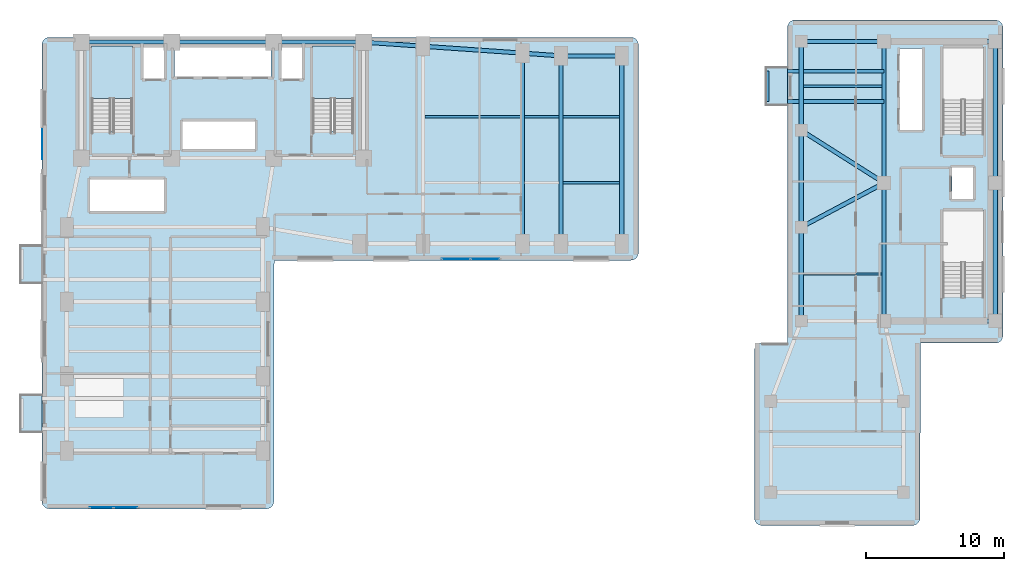
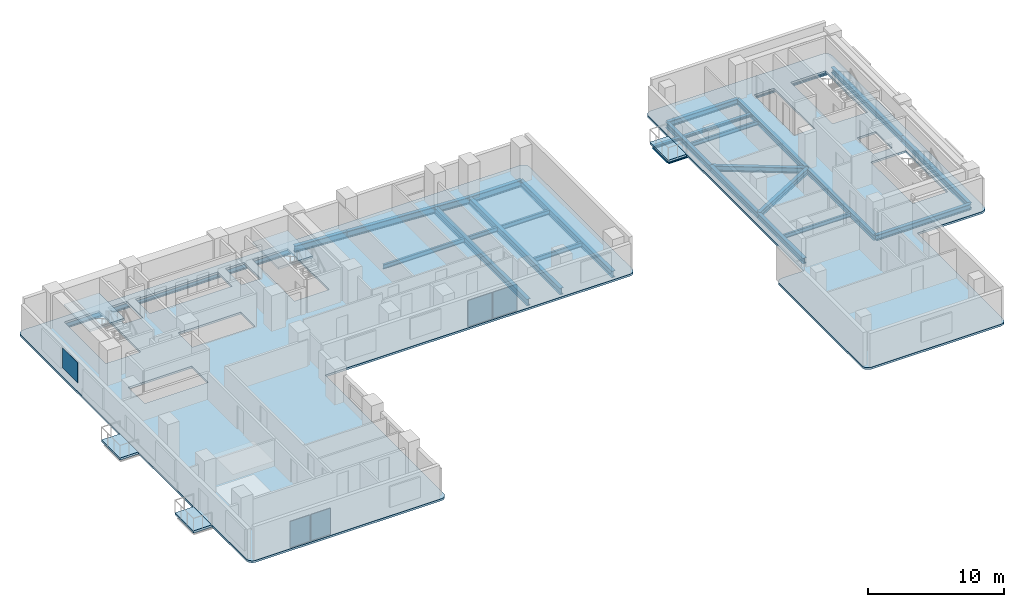
# One storey, part 7 of 16: 31 beams, 7 slabs, 5 plates, 4 elements without a shape of their own.
"""IFC4 building model written with IfcOpenShell, lengths in metres."""

from ifc_helpers import new_model, si_unit, direction, frame, origin, origin_2d, place, context, subcontext, project, spatial, polyline, rectangle, i_section, outline, extrude, material, layer, layer_set, material_profile, profile_set, type_object, element, aggregate, save


model = new_model("IFC4")

# Units and contexts
model_context = context("Model", 3, precision=1e-05, world=origin(), true_north=direction((0.0, 1.0)))
body_context = subcontext(model_context, "Body", "Model", "MODEL_VIEW")
ifc_project = project(units=[si_unit("LENGTHUNIT", "METRE"), si_unit("AREAUNIT", "SQUARE_METRE"), si_unit("VOLUMEUNIT", "CUBIC_METRE"), si_unit("PLANEANGLEUNIT", "RADIAN"), si_unit("MASSUNIT", "GRAM", prefix="KILO")], contexts=[model_context])

# Site, building, storey
site_placement = place(None, origin())
site = spatial("IfcSite", under=ifc_project, at=site_placement, CompositionType="ELEMENT")
building_placement = place(site_placement, origin())
building = spatial("IfcBuilding", under=site, at=building_placement, Name="Kuzgunbayir Cultural Tower", CompositionType="ELEMENT")
storey_placement = place(building_placement, frame((0.0, 0.0, 66.0)))
storey = spatial("IfcBuildingStorey", under=building, at=storey_placement, Name="L18", CompositionType="ELEMENT", Elevation=66.0)

# Beams
ifc_material_1 = material(Name="Steel S355J2", Category="steel")
ifc_material_profile_1 = material_profile(ifc_material_1, i_section(OverallWidth=0.260009765625, OverallDepth=0.260009765625, WebThickness=0.010009765625, FlangeThickness=0.017578125, FilletRadius=0.02392578125, at=origin_2d()), Name="HEB 260")
ifc_profile_set_1 = profile_set([ifc_material_profile_1], Name="Steel S355J2")
beam_type_1 = type_object("IfcBeamType", Name="BM-BAL-HEB260", PredefinedType="BEAM", material=ifc_profile_set_1)
for number, where, z_axis, x_axis, name in (
    (1, (56.159912109375, 37.89990234375, -0.330078125), (1.0, 0.0, 0.0), (0.0, 1.0, 0.0), "L18 Companion Balcony Outrigger BAL-L18-T2W3.1"),
    (2, (56.159912109375, 40.10009765625, -0.330078125), (1.0, 0.0, 0.0), (0.0, 1.0, 0.0), "L18 Companion Balcony Outrigger BAL-L18-T2W3.2"),
):
    element("IfcBeam", number, at=place(storey_placement, frame(where, z_axis=z_axis, x_axis=x_axis)), inside=storey, type_object=beam_type_1, Name=name, PredefinedType="BEAM", context=body_context, shape_type="SweptSolid", body=[
        extrude(i_section(OverallWidth=0.260009765625, OverallDepth=0.260009765625, WebThickness=0.010009765625, FlangeThickness=0.017578125, FilletRadius=0.02392578125, at=origin_2d()), origin(), (0.0, 0.0, 1.0), 8.440185546875),
    ])
ifc_material_profile_2 = material_profile(ifc_material_1, i_section(OverallWidth=0.199951171875, OverallDepth=0.199951171875, WebThickness=0.009033203125, FlangeThickness=0.014892578125, FilletRadius=0.01806640625, at=origin_2d()), Name="HEB 200")
ifc_profile_set_2 = profile_set([ifc_material_profile_2], Name="Steel S355J2")
beam_type_2 = type_object("IfcBeamType", Name="BM-CAN-HEB200", PredefinedType="BEAM", material=ifc_profile_set_2)
beam_1_placement = place(storey_placement, frame((56.159912109375, 37.89990234375, -0.300048828125), z_axis=(0.0, 1.0, 0.0), x_axis=(-1.0, 0.0, 0.0)))
element("IfcBeam", 3, at=beam_1_placement, inside=storey, type_object=beam_type_2, Name="L18 Companion Balcony Header BAL-L18-T2W3", PredefinedType="BEAM", context=body_context, shape_type="SweptSolid", body=[
    extrude(i_section(OverallWidth=0.199951171875, OverallDepth=0.199951171875, WebThickness=0.009033203125, FlangeThickness=0.014892578125, FilletRadius=0.01806640625, at=origin_2d()), origin(), (0.0, 0.0, 1.0), 2.2001953125),
])
ifc_material_profile_3 = material_profile(ifc_material_1, i_section(OverallWidth=0.300048828125, OverallDepth=0.5, WebThickness=0.014404296875, FlangeThickness=0.028076171875, FilletRadius=0.027099609375, at=origin_2d()), Name="HEB 500")
ifc_profile_set_3 = profile_set([ifc_material_profile_3], Name="Steel S355J2")
beam_type_3 = type_object("IfcBeamType", Name="BM-EXT-HEB500", PredefinedType="BEAM", material=ifc_profile_set_3)
beam_2_placement = place(storey_placement, frame((58.60009765625, 22.0, -0.429931640625), z_axis=(0.0, 1.0, 0.0), x_axis=(-1.0, 0.0, 0.0)))
element("IfcBeam", 4, at=beam_2_placement, inside=storey, type_object=beam_type_3, Name="L18 Companion West Girder", PredefinedType="BEAM", context=body_context, shape_type="SweptSolid", body=[
    extrude(i_section(OverallWidth=0.300048828125, OverallDepth=0.5, WebThickness=0.014404296875, FlangeThickness=0.028076171875, FilletRadius=0.027099609375, at=origin_2d()), origin(), (0.0, 0.0, 1.0), 6.800048828125),
])
beam_3_placement = place(storey_placement, frame((58.60009765625, 28.800048828125, -0.429931640625), z_axis=(0.0, 1.0, 0.0), x_axis=(-1.0, 0.0, 0.0)))
element("IfcBeam", 5, at=beam_3_placement, inside=storey, type_object=beam_type_3, Name="L18 Companion West Girder", PredefinedType="BEAM", context=body_context, shape_type="SweptSolid", body=[
    extrude(i_section(OverallWidth=0.300048828125, OverallDepth=0.5, WebThickness=0.014404296875, FlangeThickness=0.028076171875, FilletRadius=0.027099609375, at=origin_2d()), origin(), (0.0, 0.0, 1.0), 7.0),
])
beam_4_placement = place(storey_placement, frame((58.60009765625, 35.800048828125, -0.429931640625), z_axis=(0.0, 1.0, 0.0), x_axis=(-1.0, 0.0, 0.0)))
element("IfcBeam", 6, at=beam_4_placement, inside=storey, type_object=beam_type_3, Name="L18 Companion West Girder", PredefinedType="BEAM", context=body_context, shape_type="SweptSolid", body=[
    extrude(i_section(OverallWidth=0.300048828125, OverallDepth=0.5, WebThickness=0.014404296875, FlangeThickness=0.028076171875, FilletRadius=0.027099609375, at=origin_2d()), origin(), (0.0, 0.0, 1.0), 6.449951171875),
])
ifc_material_profile_4 = material_profile(ifc_material_1, i_section(OverallWidth=0.300048828125, OverallDepth=0.60009765625, WebThickness=0.015380859375, FlangeThickness=0.030029296875, FilletRadius=0.027099609375, at=origin_2d()), Name="HEB 600")
ifc_profile_set_4 = profile_set([ifc_material_profile_4], Name="Steel S355J2")
beam_type_4 = type_object("IfcBeamType", Name="BM-EXT-HEB600", PredefinedType="BEAM", material=ifc_profile_set_4)
beam_5_placement = place(storey_placement, frame((26.89990234375, 42.199951171875, -0.47998046875), z_axis=(0.997574369175, -0.069608749203, 0.0), x_axis=(0.069608749203, 0.997574369175, 0.0)))
element("IfcBeam", 7, at=beam_5_placement, inside=storey, type_object=beam_type_4, Name="L18 Wing B North Girder 1", PredefinedType="BEAM", context=body_context, shape_type="SweptSolid", body=[
    extrude(i_section(OverallWidth=0.300048828125, OverallDepth=0.60009765625, WebThickness=0.015380859375, FlangeThickness=0.030029296875, FilletRadius=0.027099609375, at=origin_2d()), origin(), (0.0, 0.0, 1.0), 4.310546875),
])
beam_6_placement = place(storey_placement, frame((31.199951171875, 41.89990234375, -0.47998046875), z_axis=(0.997597388498, -0.069278066245, 0.0), x_axis=(0.069278066245, 0.997597388498, 0.0)))
element("IfcBeam", 8, at=beam_6_placement, inside=storey, type_object=beam_type_4, Name="L18 Wing B North Girder 2", PredefinedType="BEAM", context=body_context, shape_type="SweptSolid", body=[
    extrude(i_section(OverallWidth=0.300048828125, OverallDepth=0.60009765625, WebThickness=0.015380859375, FlangeThickness=0.030029296875, FilletRadius=0.027099609375, at=origin_2d()), origin(), (0.0, 0.0, 1.0), 7.21728515625),
])
beam_7_placement = place(storey_placement, frame((38.39990234375, 41.39990234375, -0.47998046875), z_axis=(0.997460024076, -0.071228508128, 0.0), x_axis=(0.071228508128, 0.997460024076, 0.0)))
element("IfcBeam", 9, at=beam_7_placement, inside=storey, type_object=beam_type_4, Name="L18 Wing B North Girder 3", PredefinedType="BEAM", context=body_context, shape_type="SweptSolid", body=[
    extrude(i_section(OverallWidth=0.300048828125, OverallDepth=0.60009765625, WebThickness=0.015380859375, FlangeThickness=0.030029296875, FilletRadius=0.027099609375, at=origin_2d()), origin(), (0.0, 0.0, 1.0), 2.80712890625),
])
beam_8_placement = place(storey_placement, frame((41.199951171875, 41.199951171875, -0.47998046875), z_axis=(1.0, 0.0, 0.0), x_axis=(0.0, 1.0, 0.0)))
element("IfcBeam", 10, at=beam_8_placement, inside=storey, type_object=beam_type_4, Name="L18 Wing B North Girder 4", PredefinedType="BEAM", context=body_context, shape_type="SweptSolid", body=[
    extrude(i_section(OverallWidth=0.300048828125, OverallDepth=0.60009765625, WebThickness=0.015380859375, FlangeThickness=0.030029296875, FilletRadius=0.027099609375, at=origin_2d()), origin(), (0.0, 0.0, 1.0), 4.400146484375),
])
ifc_material_profile_5 = material_profile(ifc_material_1, i_section(OverallWidth=0.300048828125, OverallDepth=0.5, WebThickness=0.014404296875, FlangeThickness=0.028076171875, FilletRadius=0.027099609375, at=origin_2d()), Name="HEB 500")
ifc_profile_set_5 = profile_set([ifc_material_profile_5], Name="Steel S355J2")
beam_type_5 = type_object("IfcBeamType", Name="BM-GIR-HEB500", PredefinedType="BEAM", material=ifc_profile_set_5)
beam_9_placement = place(storey_placement, frame((58.60009765625, 28.800048828125, -0.429931640625), z_axis=(0.882355922736, 0.470582644828, 0.0), x_axis=(-0.470582644828, 0.882355922736, 0.0)))
element("IfcBeam", 11, at=beam_9_placement, inside=storey, type_object=beam_type_5, Name="L18 Companion Transverse Girder 2", PredefinedType="BEAM", context=body_context, shape_type="SweptSolid", body=[
    extrude(i_section(OverallWidth=0.300048828125, OverallDepth=0.5, WebThickness=0.014404296875, FlangeThickness=0.028076171875, FilletRadius=0.027099609375, at=origin_2d()), origin(), (0.0, 0.0, 1.0), 6.800048828125),
])
beam_10_placement = place(storey_placement, frame((58.60009765625, 35.800048828125, -0.429931640625), z_axis=(0.844815967829, -0.535056988088, 0.0), x_axis=(0.535056988088, 0.844815967829, 0.0)))
element("IfcBeam", 12, at=beam_10_placement, inside=storey, type_object=beam_type_5, Name="L18 Companion Transverse Girder 3", PredefinedType="BEAM", context=body_context, shape_type="SweptSolid", body=[
    extrude(i_section(OverallWidth=0.300048828125, OverallDepth=0.5, WebThickness=0.014404296875, FlangeThickness=0.028076171875, FilletRadius=0.027099609375, at=origin_2d()), origin(), (0.0, 0.0, 1.0), 7.10205078125),
])
beam_11_placement = place(storey_placement, frame((58.60009765625, 42.25, -0.429931640625), z_axis=(1.0, 0.0, 0.0), x_axis=(0.0, 1.0, 0.0)))
element("IfcBeam", 13, at=beam_11_placement, inside=storey, type_object=beam_type_5, Name="L18 Companion Transverse Girder 4", PredefinedType="BEAM", context=body_context, shape_type="SweptSolid", body=[
    extrude(i_section(OverallWidth=0.300048828125, OverallDepth=0.5, WebThickness=0.014404296875, FlangeThickness=0.028076171875, FilletRadius=0.027099609375, at=origin_2d()), origin(), (0.0, 0.0, 1.0), 6.0),
])
beam_12_placement = place(storey_placement, frame((64.60009765625, 22.0, -0.429931640625), z_axis=(0.0, 1.0, 0.0), x_axis=(-1.0, 0.0, 0.0)))
element("IfcBeam", 14, at=beam_12_placement, inside=storey, type_object=beam_type_5, Name="L18 Companion Core West Girder 1", PredefinedType="BEAM", context=body_context, shape_type="SweptSolid", body=[
    extrude(i_section(OverallWidth=0.300048828125, OverallDepth=0.5, WebThickness=0.014404296875, FlangeThickness=0.028076171875, FilletRadius=0.027099609375, at=origin_2d()), origin(), (0.0, 0.0, 1.0), 10.0),
])
beam_13_placement = place(storey_placement, frame((64.60009765625, 32.0, -0.429931640625), z_axis=(0.0, 1.0, 0.0), x_axis=(-1.0, 0.0, 0.0)))
element("IfcBeam", 15, at=beam_13_placement, inside=storey, type_object=beam_type_5, Name="L18 Companion Core West Girder 2", PredefinedType="BEAM", context=body_context, shape_type="SweptSolid", body=[
    extrude(i_section(OverallWidth=0.300048828125, OverallDepth=0.5, WebThickness=0.014404296875, FlangeThickness=0.028076171875, FilletRadius=0.027099609375, at=origin_2d()), origin(), (0.0, 0.0, 1.0), 10.25),
])
beam_14_placement = place(storey_placement, frame((72.64990234375, 22.0, -0.429931640625), z_axis=(0.0, 1.0, 0.0), x_axis=(-1.0, 0.0, 0.0)))
element("IfcBeam", 16, at=beam_14_placement, inside=storey, type_object=beam_type_5, Name="L18 Companion Core East Girder 1", PredefinedType="BEAM", context=body_context, shape_type="SweptSolid", body=[
    extrude(i_section(OverallWidth=0.300048828125, OverallDepth=0.5, WebThickness=0.014404296875, FlangeThickness=0.028076171875, FilletRadius=0.027099609375, at=origin_2d()), origin(), (0.0, 0.0, 1.0), 10.0),
])
beam_15_placement = place(storey_placement, frame((72.64990234375, 32.0, -0.429931640625), z_axis=(0.0, 1.0, 0.0), x_axis=(-1.0, 0.0, 0.0)))
element("IfcBeam", 17, at=beam_15_placement, inside=storey, type_object=beam_type_5, Name="L18 Companion Core East Girder 2", PredefinedType="BEAM", context=body_context, shape_type="SweptSolid", body=[
    extrude(i_section(OverallWidth=0.300048828125, OverallDepth=0.5, WebThickness=0.014404296875, FlangeThickness=0.028076171875, FilletRadius=0.027099609375, at=origin_2d()), origin(), (0.0, 0.0, 1.0), 10.25),
])
for number, where, z_axis, x_axis, name in (
    (18, (64.60009765625, 22.0, -0.429931640625), (1.0, 0.0, 0.0), (0.0, 1.0, 0.0), "L18 Companion Core South Girder"),
    (19, (64.60009765625, 42.25, -0.429931640625), (1.0, 0.0, 0.0), (0.0, 1.0, 0.0), "L18 Companion Core North Girder"),
):
    element("IfcBeam", number, at=place(storey_placement, frame(where, z_axis=z_axis, x_axis=x_axis)), inside=storey, type_object=beam_type_5, Name=name, PredefinedType="BEAM", context=body_context, shape_type="SweptSolid", body=[
        extrude(i_section(OverallWidth=0.300048828125, OverallDepth=0.5, WebThickness=0.014404296875, FlangeThickness=0.028076171875, FilletRadius=0.027099609375, at=origin_2d()), origin(), (0.0, 0.0, 1.0), 8.0498046875),
    ])
ifc_material_profile_6 = material_profile(ifc_material_1, i_section(OverallWidth=0.300048828125, OverallDepth=0.60009765625, WebThickness=0.015380859375, FlangeThickness=0.030029296875, FilletRadius=0.027099609375, at=origin_2d()), Name="HEB 600")
ifc_profile_set_6 = profile_set([ifc_material_profile_6], Name="Steel S355J2")
beam_type_6 = type_object("IfcBeamType", Name="BM-GIR-HEB600", PredefinedType="BEAM", material=ifc_profile_set_6)
beam_16_placement = place(storey_placement, frame((6.449951171875, 42.199951171875, -0.47998046875), z_axis=(1.0, 0.0, 0.0), x_axis=(0.0, 1.0, 0.0)))
element("IfcBeam", 20, at=beam_16_placement, inside=storey, type_object=beam_type_6, Name="L18 Core North Girder 1", PredefinedType="BEAM", context=body_context, shape_type="SweptSolid", body=[
    extrude(i_section(OverallWidth=0.300048828125, OverallDepth=0.60009765625, WebThickness=0.015380859375, FlangeThickness=0.030029296875, FilletRadius=0.027099609375, at=origin_2d()), origin(), (0.0, 0.0, 1.0), 6.550048828125),
])
beam_17_placement = place(storey_placement, frame((13.0, 42.199951171875, -0.47998046875), z_axis=(1.0, 0.0, 0.0), x_axis=(0.0, 1.0, 0.0)))
element("IfcBeam", 21, at=beam_17_placement, inside=storey, type_object=beam_type_6, Name="L18 Core North Girder 2", PredefinedType="BEAM", context=body_context, shape_type="SweptSolid", body=[
    extrude(i_section(OverallWidth=0.300048828125, OverallDepth=0.60009765625, WebThickness=0.015380859375, FlangeThickness=0.030029296875, FilletRadius=0.027099609375, at=origin_2d()), origin(), (0.0, 0.0, 1.0), 7.39990234375),
])
beam_18_placement = place(storey_placement, frame((20.39990234375, 42.199951171875, -0.47998046875), z_axis=(1.0, 0.0, 0.0), x_axis=(0.0, 1.0, 0.0)))
element("IfcBeam", 22, at=beam_18_placement, inside=storey, type_object=beam_type_6, Name="L18 Core North Girder 3", PredefinedType="BEAM", context=body_context, shape_type="SweptSolid", body=[
    extrude(i_section(OverallWidth=0.300048828125, OverallDepth=0.60009765625, WebThickness=0.015380859375, FlangeThickness=0.030029296875, FilletRadius=0.027099609375, at=origin_2d()), origin(), (0.0, 0.0, 1.0), 6.5),
])
beam_19_placement = place(storey_placement, frame((38.39990234375, 27.60009765625, -0.47998046875), z_axis=(0.0, 1.0, 0.0), x_axis=(-1.0, 0.0, 0.0)))
element("IfcBeam", 23, at=beam_19_placement, inside=storey, type_object=beam_type_6, Name="L18 Wing B Cross Girder 38", PredefinedType="BEAM", context=body_context, shape_type="SweptSolid", body=[
    extrude(i_section(OverallWidth=0.300048828125, OverallDepth=0.60009765625, WebThickness=0.015380859375, FlangeThickness=0.030029296875, FilletRadius=0.027099609375, at=origin_2d()), origin(), (0.0, 0.0, 1.0), 13.7998046875),
])
for number, where, z_axis, x_axis, name in (
    (24, (41.199951171875, 27.60009765625, -0.47998046875), (0.0, 1.0, 0.0), (-1.0, 0.0, 0.0), "L18 Wing B Cross Girder 41"),
    (25, (45.60009765625, 27.60009765625, -0.47998046875), (0.0, 1.0, 0.0), (-1.0, 0.0, 0.0), "L18 Wing B Cross Girder 45"),
):
    element("IfcBeam", number, at=place(storey_placement, frame(where, z_axis=z_axis, x_axis=x_axis)), inside=storey, type_object=beam_type_6, Name=name, PredefinedType="BEAM", context=body_context, shape_type="SweptSolid", body=[
        extrude(i_section(OverallWidth=0.300048828125, OverallDepth=0.60009765625, WebThickness=0.015380859375, FlangeThickness=0.030029296875, FilletRadius=0.027099609375, at=origin_2d()), origin(), (0.0, 0.0, 1.0), 13.599853515625),
    ])
ifc_material_profile_7 = material_profile(ifc_material_1, i_section(OverallWidth=0.169921875, OverallDepth=0.360107421875, WebThickness=0.008056640625, FlangeThickness=0.0126953125, FilletRadius=0.01806640625, at=origin_2d()), Name="IPE 360")
ifc_profile_set_7 = profile_set([ifc_material_profile_7], Name="Steel S355J2")
beam_type_7 = type_object("IfcBeamType", Name="BM-JST-IPE360", PredefinedType="JOIST", material=ifc_profile_set_7)
for number, where, z_axis, x_axis, name in (
    (26, (58.75, 25.39990234375, -0.360107421875), (1.0, 0.0, 0.0), (0.0, 1.0, 0.0), "L18 Companion Joist"),
    (27, (58.75, 39.0, -0.360107421875), (1.0, 0.0, 0.0), (0.0, 1.0, 0.0), "L18 Companion Joist"),
):
    element("IfcBeam", number, at=place(storey_placement, frame(where, z_axis=z_axis, x_axis=x_axis)), inside=storey, type_object=beam_type_7, Name=name, PredefinedType="JOIST", context=body_context, shape_type="SweptSolid", body=[
        extrude(i_section(OverallWidth=0.169921875, OverallDepth=0.360107421875, WebThickness=0.008056640625, FlangeThickness=0.0126953125, FilletRadius=0.01806640625, at=origin_2d()), origin(), (0.0, 0.0, 1.0), 5.699951171875),
    ])
ifc_material_profile_8 = material_profile(ifc_material_1, i_section(OverallWidth=0.179931640625, OverallDepth=0.39990234375, WebThickness=0.008544921875, FlangeThickness=0.013427734375, FilletRadius=0.02099609375, at=origin_2d()), Name="IPE 400")
ifc_profile_set_8 = profile_set([ifc_material_profile_8], Name="Steel S355J2")
beam_type_8 = type_object("IfcBeamType", Name="BM-JST-IPE400", PredefinedType="JOIST", material=ifc_profile_set_8)
beam_20_placement = place(storey_placement, frame((31.35009765625, 36.800048828125, -0.3798828125), z_axis=(1.0, 0.0, 0.0), x_axis=(0.0, 1.0, 0.0)))
element("IfcBeam", 28, at=beam_20_placement, inside=storey, type_object=beam_type_8, Name="L18 Wing B Secondary Joist 1.2", PredefinedType="JOIST", context=body_context, shape_type="SweptSolid", body=[
    extrude(i_section(OverallWidth=0.179931640625, OverallDepth=0.39990234375, WebThickness=0.008544921875, FlangeThickness=0.013427734375, FilletRadius=0.02099609375, at=origin_2d()), origin(), (0.0, 0.0, 1.0), 6.89990234375),
])
beam_21_placement = place(storey_placement, frame((38.550048828125, 36.800048828125, -0.3798828125), z_axis=(1.0, 0.0, 0.0), x_axis=(0.0, 1.0, 0.0)))
element("IfcBeam", 29, at=beam_21_placement, inside=storey, type_object=beam_type_8, Name="L18 Wing B Secondary Joist 2.2", PredefinedType="JOIST", context=body_context, shape_type="SweptSolid", body=[
    extrude(i_section(OverallWidth=0.179931640625, OverallDepth=0.39990234375, WebThickness=0.008544921875, FlangeThickness=0.013427734375, FilletRadius=0.02099609375, at=origin_2d()), origin(), (0.0, 0.0, 1.0), 2.5),
])
for number, where, z_axis, x_axis, name in (
    (30, (41.35009765625, 32.0, -0.3798828125), (1.0, 0.0, 0.0), (0.0, 1.0, 0.0), "L18 Wing B Secondary Joist 3.1"),
    (31, (41.35009765625, 36.800048828125, -0.3798828125), (1.0, 0.0, 0.0), (0.0, 1.0, 0.0), "L18 Wing B Secondary Joist 3.2"),
):
    element("IfcBeam", number, at=place(storey_placement, frame(where, z_axis=z_axis, x_axis=x_axis)), inside=storey, type_object=beam_type_8, Name=name, PredefinedType="JOIST", context=body_context, shape_type="SweptSolid", body=[
        extrude(i_section(OverallWidth=0.179931640625, OverallDepth=0.39990234375, WebThickness=0.008544921875, FlangeThickness=0.013427734375, FilletRadius=0.02099609375, at=origin_2d()), origin(), (0.0, 0.0, 1.0), 4.099853515625),
    ])

# Curtain wall, plates
ifc_material_2 = material(Name="Anodised Aluminium Framing", Category="aluminium")
curtain_wall_type = type_object("IfcCurtainWallType", Name="CW03-T1-OFFICE", PredefinedType="NOTDEFINED", material=ifc_material_2)
curtain_wall_1_placement = place(storey_placement, origin())
curtain_wall_1 = element("IfcCurtainWall", 32, at=curtain_wall_1_placement, inside=storey, type_object=curtain_wall_type, Name="L18 Wing A South Feature Curtain Wall", PredefinedType="NOTDEFINED")
ifc_material_3 = material(Name="Solar-Control Triple Glazing", Category="glass")
ifc_layer_1 = layer(ifc_material_3, 0.035888671875)
ifc_layer_set_1 = layer_set([ifc_layer_1], Name="Solar-Control Triple Glazing")
plate_type_1 = type_object("IfcPlateType", Name="PLT-CW-GLASS-36", PredefinedType="CURTAIN_PANEL", material=ifc_layer_set_1)
plate_1_placement = place(storey_placement, frame((7.918701171875, 8.47998046875, 0.06005859375), z_axis=(0.0, 0.0, 1.0), x_axis=(1.0, 0.0, 0.0)))
plate_1 = element("IfcPlate", 33, at=plate_1_placement, type_object=plate_type_1, Name="CW03 panel 1.1", PredefinedType="CURTAIN_PANEL", context=body_context, shape_type="SweptSolid", body=[
    extrude(rectangle(XDim=1.6875, YDim=0.035888671875, at=origin_2d()), origin(), (0.0, 0.0, 1.0), 2.35009765625),
])
plate_2_placement = place(storey_placement, frame((9.68115234375, 8.47998046875, 0.06005859375), z_axis=(0.0, 0.0, 1.0), x_axis=(1.0, 0.0, 0.0)))
plate_2 = element("IfcPlate", 34, at=plate_2_placement, type_object=plate_type_1, Name="CW03 panel 2.1", PredefinedType="CURTAIN_PANEL", context=body_context, shape_type="SweptSolid", body=[
    extrude(rectangle(XDim=1.6875, YDim=0.035888671875, at=origin_2d()), origin(), (0.0, 0.0, 1.0), 2.35009765625),
])
aggregate(curtain_wall_1, [plate_1, plate_2])

curtain_wall_2_placement = place(storey_placement, origin())
curtain_wall_2 = element("IfcCurtainWall", 35, at=curtain_wall_2_placement, inside=storey, type_object=curtain_wall_type, Name="L18 Wing B South Feature Curtain Wall", PredefinedType="NOTDEFINED")
plate_3_placement = place(storey_placement, frame((33.59375, 26.47998046875, 0.06005859375), z_axis=(0.0, 0.0, 1.0), x_axis=(1.0, 0.0, 0.0)))
plate_3 = element("IfcPlate", 36, at=plate_3_placement, type_object=plate_type_1, Name="CW03 panel 1.1", PredefinedType="CURTAIN_PANEL", context=body_context, shape_type="SweptSolid", body=[
    extrude(rectangle(XDim=2.03759765625, YDim=0.035888671875, at=origin_2d()), origin(), (0.0, 0.0, 1.0), 2.35009765625),
])
plate_4_placement = place(storey_placement, frame((35.706298828125, 26.47998046875, 0.06005859375), z_axis=(0.0, 0.0, 1.0), x_axis=(1.0, 0.0, 0.0)))
plate_4 = element("IfcPlate", 37, at=plate_4_placement, type_object=plate_type_1, Name="CW03 panel 2.1", PredefinedType="CURTAIN_PANEL", context=body_context, shape_type="SweptSolid", body=[
    extrude(rectangle(XDim=2.03759765625, YDim=0.035888671875, at=origin_2d()), origin(), (0.0, 0.0, 1.0), 2.35009765625),
])
aggregate(curtain_wall_2, [plate_3, plate_4])

# Plate
ifc_material_4 = material(Name="Perforated Bronze-Anodised Aluminium", Category="aluminium")
ifc_layer_2 = layer(ifc_material_4, 0.02392578125)
ifc_layer_set_2 = layer_set([ifc_layer_2], Name="Perforated Bronze-Anodised Aluminium")
plate_type_2 = type_object("IfcPlateType", Name="PLT-SOLAR-SCREEN-14", PredefinedType="SHEET", material=ifc_layer_set_2)
plate_5_placement = place(storey_placement, frame((3.6298828125, 34.800048828125, 0.75), z_axis=(0.0, 0.0, 1.0), x_axis=(1.0, 0.0, 0.0)))
element("IfcPlate", 38, at=plate_5_placement, inside=storey, type_object=plate_type_2, Name="L18 Tower 1 Perforated Ceramic Solar Screen Panel", PredefinedType="SHEET", context=body_context, shape_type="SweptSolid", body=[
    extrude(rectangle(XDim=0.02392578125, YDim=2.199951171875, at=origin_2d()), origin(), (0.0, 0.0, 1.0), 1.800048828125),
])

# Slabs
ifc_material_5 = material(Name="Concrete C40/50", Category="concrete")
ifc_layer_3 = layer(ifc_material_5, 0.199951171875)
ifc_layer_set_3 = layer_set([ifc_layer_3], Name="Concrete C40/50")
slab_type_1 = type_object("IfcSlabType", Name="SLB-BAL-STONE", PredefinedType="FLOOR", material=ifc_layer_set_3)
slab_1_placement = place(storey_placement, frame((0.0, 0.0, -0.199951171875)))
element("IfcSlab", 39, at=slab_1_placement, inside=storey, type_object=slab_type_1, Name="L18 Projecting Limestone Balcony BAL-L18-WA1", PredefinedType="FLOOR", context=body_context, shape_type="SweptSolid", body=[
    extrude(outline(polyline([(2.0400390625, 13.949951171875), (3.60009765625, 13.949951171875), (3.60009765625, 16.64990234375), (2.0400390625, 16.64990234375), (2.0400390625, 13.949951171875)])), origin(), (0.0, 0.0, 1.0), 0.199951171875),
])
slab_2_placement = place(storey_placement, frame((0.0, 0.0, -0.199951171875)))
element("IfcSlab", 40, at=slab_2_placement, inside=storey, type_object=slab_type_1, Name="L18 Projecting Limestone Balcony BAL-L18-WA3", PredefinedType="FLOOR", context=body_context, shape_type="SweptSolid", body=[
    extrude(outline(polyline([(2.0400390625, 24.75), (3.60009765625, 24.75), (3.60009765625, 27.449951171875), (2.0400390625, 27.449951171875), (2.0400390625, 24.75)])), origin(), (0.0, 0.0, 1.0), 0.199951171875),
])
slab_3_placement = place(storey_placement, frame((0.0, 0.0, -0.199951171875)))
element("IfcSlab", 41, at=slab_3_placement, inside=storey, type_object=slab_type_1, Name="L18 Projecting Limestone Balcony BAL-L18-T2W3", PredefinedType="FLOOR", context=body_context, shape_type="SweptSolid", body=[
    extrude(outline(polyline([(56.0400390625, 37.64990234375), (57.60009765625, 37.64990234375), (57.60009765625, 40.35009765625), (56.0400390625, 40.35009765625), (56.0400390625, 37.64990234375)])), origin(), (0.0, 0.0, 1.0), 0.199951171875),
])

# Stair, slab
stair_type = type_object("IfcStairType", Name="STR-EXIT-CORE", PredefinedType="HALF_TURN_STAIR", material=ifc_material_5)
stair_1_placement = place(storey_placement, origin())
stair_1 = element("IfcStair", 42, at=stair_1_placement, inside=storey, type_object=stair_type, Name="L18 ST-1", PredefinedType="HALF_TURN_STAIR")
ifc_layer_4 = layer(ifc_material_5, 0.179931640625)
ifc_layer_set_4 = layer_set([ifc_layer_4], Name="Concrete C40/50")
slab_type_2 = type_object("IfcSlabType", Name="SLB-LANDING-180", PredefinedType="LANDING", material=ifc_layer_set_4)
slab_4_placement = place(storey_placement, frame((0.0, 0.0, 1.39990234375)))
slab_4 = element("IfcSlab", 43, at=slab_4_placement, type_object=slab_type_2, Name="ST-1 landing 1", PredefinedType="LANDING", context=body_context, shape_type="SweptSolid", body=[
    extrude(outline(polyline([(10.159912109375, 38.1201171875), (10.159912109375, 41.89990234375), (7.199951171875, 41.89990234375), (7.199951171875, 38.1201171875), (10.159912109375, 38.1201171875)])), origin(), (0.0, 0.0, 1.0), 0.2001953125),
])
aggregate(stair_1, [slab_4])

stair_2_placement = place(storey_placement, origin())
stair_2 = element("IfcStair", 44, at=stair_2_placement, inside=storey, type_object=stair_type, Name="L18 ST-2", PredefinedType="HALF_TURN_STAIR")
slab_5_placement = place(storey_placement, frame((0.0, 0.0, 1.39990234375)))
slab_5 = element("IfcSlab", 45, at=slab_5_placement, type_object=slab_type_2, Name="ST-2 landing 1", PredefinedType="LANDING", context=body_context, shape_type="SweptSolid", body=[
    extrude(outline(polyline([(26.159912109375, 38.1201171875), (26.159912109375, 41.89990234375), (23.199951171875, 41.89990234375), (23.199951171875, 38.1201171875), (26.159912109375, 38.1201171875)])), origin(), (0.0, 0.0, 1.0), 0.2001953125),
])
aggregate(stair_2, [slab_5])

# Slabs
ifc_layer_5 = layer(ifc_material_5, 0.179931640625)
ifc_layer_set_5 = layer_set([ifc_layer_5], Name="Concrete C40/50")
slab_type_3 = type_object("IfcSlabType", Name="SLB-TYP-180", PredefinedType="FLOOR", material=ifc_layer_set_5)
slab_6_placement = place(storey_placement, frame((0.0, 0.0, -0.179931640625)))
element("IfcSlab", 46, at=slab_6_placement, inside=storey, type_object=slab_type_3, Name="L18 Tower 1 Floor Slab T1-MAIN", PredefinedType="FLOOR", context=body_context, shape_type="SweptSolid", body=[
    extrude(outline(polyline([(20.39990234375, 8.949951171875), (20.389892578125, 8.840087890625), (20.360107421875, 8.739990234375), (20.31005859375, 8.639892578125), (20.239990234375, 8.56005859375), (20.159912109375, 8.489990234375), (20.06005859375, 8.43994140625), (19.9599609375, 8.409912109375), (19.85009765625, 8.39990234375), (4.14990234375, 8.39990234375), (4.0400390625, 8.409912109375), (3.93994140625, 8.43994140625), (3.840087890625, 8.489990234375), (3.760009765625, 8.56005859375), (3.68994140625, 8.639892578125), (3.639892578125, 8.739990234375), (3.610107421875, 8.840087890625), (3.60009765625, 8.949951171875), (3.60009765625, 42.0), (3.610107421875, 42.110107421875), (3.639892578125, 42.2099609375), (3.68994140625, 42.31005859375), (3.760009765625, 42.389892578125), (3.840087890625, 42.4599609375), (3.93994140625, 42.510009765625), (4.0400390625, 42.5400390625), (4.14990234375, 42.550048828125), (46.25, 42.550048828125), (46.360107421875, 42.5400390625), (46.4599609375, 42.510009765625), (46.56005859375, 42.4599609375), (46.639892578125, 42.389892578125), (46.7099609375, 42.31005859375), (46.760009765625, 42.2099609375), (46.7900390625, 42.110107421875), (46.800048828125, 42.0), (46.800048828125, 26.949951171875), (46.7900390625, 26.840087890625), (46.760009765625, 26.739990234375), (46.7099609375, 26.639892578125), (46.639892578125, 26.56005859375), (46.56005859375, 26.489990234375), (46.4599609375, 26.43994140625), (46.360107421875, 26.409912109375), (46.25, 26.39990234375), (20.429931640625, 26.39990234375), (20.39990234375, 8.949951171875)]), holes=[polyline([(7.199951171875, 35.760009765625), (7.199951171875, 41.89990234375), (10.159912109375, 41.89990234375), (10.159912109375, 35.760009765625), (7.199951171875, 35.760009765625)]), polyline([(23.199951171875, 35.760009765625), (23.199951171875, 41.89990234375), (26.159912109375, 41.89990234375), (26.159912109375, 35.760009765625), (23.199951171875, 35.760009765625)]), polyline([(13.199951171875, 39.699951171875), (13.199951171875, 41.800048828125), (20.199951171875, 41.800048828125), (20.199951171875, 39.699951171875), (13.199951171875, 39.699951171875)]), polyline([(13.75, 34.39990234375), (13.75, 36.5), (19.080078125, 36.5), (19.080078125, 34.39990234375), (13.75, 34.39990234375)]), polyline([(7.10009765625, 29.89990234375), (7.10009765625, 32.300048828125), (12.5, 32.300048828125), (12.5, 29.89990234375), (7.10009765625, 29.89990234375)]), polyline([(10.89990234375, 39.5), (10.89990234375, 41.89990234375), (12.5, 41.89990234375), (12.5, 39.5), (10.89990234375, 39.5)]), polyline([(20.89990234375, 39.5), (20.89990234375, 41.89990234375), (22.5, 41.89990234375), (22.5, 39.5), (20.89990234375, 39.5)])]), origin(), (0.0, 0.0, 1.0), 0.179931640625),
])
slab_7_placement = place(storey_placement, frame((0.0, 0.0, -0.179931640625)))
element("IfcSlab", 47, at=slab_7_placement, inside=storey, type_object=slab_type_3, Name="L18 Companion Tower 2 Floor Slab", PredefinedType="FLOOR", context=body_context, shape_type="SweptSolid", body=[
    extrude(outline(polyline([(57.60009765625, 20.39990234375), (57.60009765625, 43.25), (57.610107421875, 43.360107421875), (57.639892578125, 43.4599609375), (57.68994140625, 43.56005859375), (57.760009765625, 43.639892578125), (57.840087890625, 43.7099609375), (57.93994140625, 43.760009765625), (58.0400390625, 43.7900390625), (58.14990234375, 43.800048828125), (72.64990234375, 43.800048828125), (72.760009765625, 43.7900390625), (72.860107421875, 43.760009765625), (72.9599609375, 43.7099609375), (73.0400390625, 43.639892578125), (73.110107421875, 43.56005859375), (73.159912109375, 43.4599609375), (73.18994140625, 43.360107421875), (73.199951171875, 43.25), (73.199951171875, 20.949951171875), (73.18994140625, 20.840087890625), (73.159912109375, 20.739990234375), (73.110107421875, 20.639892578125), (73.0400390625, 20.56005859375), (72.9599609375, 20.489990234375), (72.860107421875, 20.43994140625), (72.760009765625, 20.409912109375), (72.64990234375, 20.39990234375), (67.22998046875, 20.39990234375), (67.199951171875, 7.75), (67.18994140625, 7.639892578125), (67.159912109375, 7.5400390625), (67.110107421875, 7.43994140625), (67.0400390625, 7.360107421875), (66.9599609375, 7.2900390625), (66.860107421875, 7.239990234375), (66.760009765625, 7.2099609375), (66.64990234375, 7.199951171875), (55.75, 7.199951171875), (55.639892578125, 7.2099609375), (55.5400390625, 7.239990234375), (55.43994140625, 7.2900390625), (55.360107421875, 7.360107421875), (55.2900390625, 7.43994140625), (55.239990234375, 7.5400390625), (55.2099609375, 7.639892578125), (55.199951171875, 7.75), (55.199951171875, 19.85009765625), (55.2099609375, 19.9599609375), (55.239990234375, 20.06005859375), (55.2900390625, 20.159912109375), (55.360107421875, 20.239990234375), (55.43994140625, 20.31005859375), (55.5400390625, 20.360107421875), (55.639892578125, 20.389892578125), (55.75, 20.39990234375), (57.570068359375, 20.39990234375), (57.60009765625, 20.39990234375)]), holes=[polyline([(68.840087890625, 23.860107421875), (68.840087890625, 30.0), (71.800048828125, 30.0), (71.800048828125, 23.860107421875), (68.840087890625, 23.860107421875)]), polyline([(68.840087890625, 35.659912109375), (68.840087890625, 41.800048828125), (71.800048828125, 41.800048828125), (71.800048828125, 35.659912109375), (68.840087890625, 35.659912109375)]), polyline([(65.699951171875, 35.800048828125), (65.699951171875, 41.75), (67.39990234375, 41.75), (67.39990234375, 35.800048828125), (65.699951171875, 35.800048828125)]), polyline([(69.5, 30.800048828125), (69.5, 33.199951171875), (71.10009765625, 33.199951171875), (71.10009765625, 30.800048828125), (69.5, 30.800048828125)])]), origin(), (0.0, 0.0, 1.0), 0.179931640625),
])

save(model, "model.ifc")
